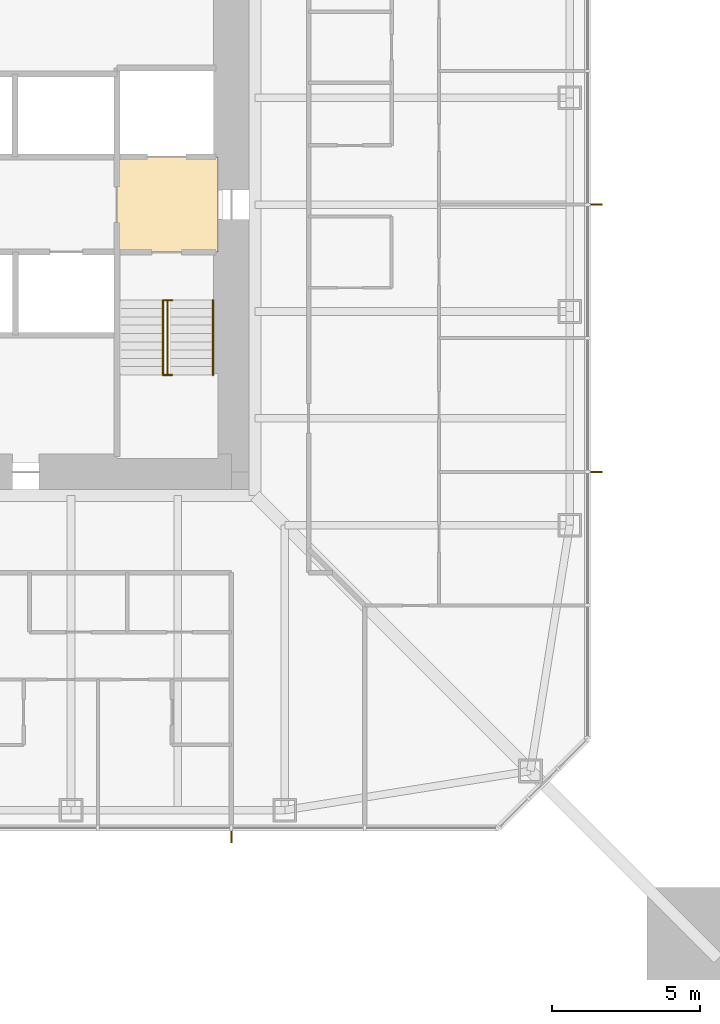
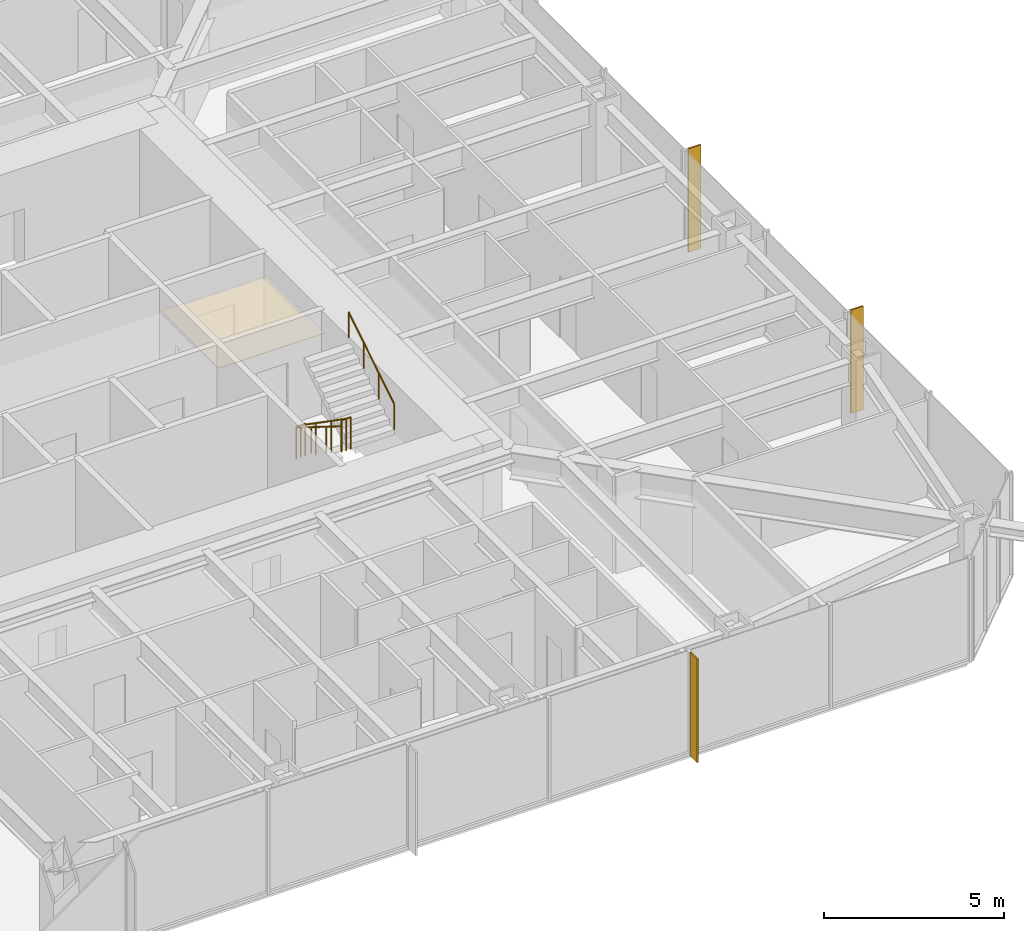
# One storey, part 23 of 25: 3 railings, 3 shading devices, 1 covering.
"""IFC4 building model written with IfcOpenShell, lengths in metres."""

from ifc_helpers import new_model, si_unit, direction, frame, origin, origin_2d, place, context, subcontext, project, spatial, polyline, rectangle, circle, outline, extrude, material, layer, layer_set, constituent, constituent_set, type_object, element, save


model = new_model("IFC4")

# Units and contexts
model_context = context("Model", 3, precision=1e-05, world=origin(), true_north=direction((0.0, 1.0)))
body_context = subcontext(model_context, "Body", "Model", "MODEL_VIEW")
ifc_project = project(units=[si_unit("LENGTHUNIT", "METRE"), si_unit("AREAUNIT", "SQUARE_METRE"), si_unit("VOLUMEUNIT", "CUBIC_METRE"), si_unit("PLANEANGLEUNIT", "RADIAN"), si_unit("MASSUNIT", "GRAM", prefix="KILO")], contexts=[model_context])

# Site, building, storey
site_placement = place(None, origin())
site = spatial("IfcSite", under=ifc_project, at=site_placement, CompositionType="ELEMENT")
building_placement = place(site_placement, origin())
building = spatial("IfcBuilding", under=site, at=building_placement, Name="Iwan Alto Co-Living Towers", CompositionType="ELEMENT")
storey_placement = place(building_placement, frame((0.0, 0.0, 84.0)))
storey = spatial("IfcBuildingStorey", under=building, at=storey_placement, Name="L22", CompositionType="ELEMENT", Elevation=84.0)

# Covering
ifc_material_1 = material(Name="Mineral fibre acoustic tiles on steel grid", Category="steel")
ifc_layer_1 = layer(ifc_material_1, 0.02001953125)
ifc_layer_set_1 = layer_set([ifc_layer_1], Name="ACOUSTIC TILE CEILING 20")
covering_type = type_object("IfcCoveringType", Name="ACOUSTIC TILE CEILING 20", PredefinedType="CEILING", material=ifc_layer_set_1)
covering_placement = place(storey_placement, frame((0.0, 0.0, 2.60009765625)))
element("IfcCovering", 1, at=covering_placement, inside=storey, type_object=covering_type, Name="Ceiling Firefighting lobby L22", PredefinedType="CEILING", context=body_context, shape_type="SweptSolid", body=[
    extrude(outline(polyline([(5.14990234375, -1.60009765625), (5.14990234375, 1.60009765625), (8.550048828125, 1.60009765625), (8.550048828125, -1.60009765625), (5.14990234375, -1.60009765625)])), origin(), (0.0, 0.0, 1.0), 0.02001953125),
])

# Shading devices
ifc_material_2 = material(Name="Aluminium 6063-T6 bronze anodised", Category="aluminium")
ifc_layer_2 = layer(ifc_material_2, 0.050048828125)
ifc_layer_set_2 = layer_set([ifc_layer_2], Name="BRONZE FIN 50X400")
shading_device_type = type_object("IfcShadingDeviceType", Name="BRONZE FIN 50X400", PredefinedType="USERDEFINED", material=ifc_layer_set_2)
for number, where, z_axis, x_axis, name in (
    (2, (9.0, -21.300048828125, 0.0), (0.0, 0.0, 1.0), (1.0, 0.0, 0.0), "Bronze fin L22"),
    (3, (21.300048828125, -9.0, 0.0), (0.0, 0.0, 1.0), (0.0, 1.0, 0.0), "Bronze fin L22"),
    (4, (21.300048828125, 0.0, 0.0), (0.0, 0.0, 1.0), (0.0, 1.0, 0.0), "Bronze fin L22"),
):
    element("IfcShadingDevice", number, at=place(storey_placement, frame(where, z_axis=z_axis, x_axis=x_axis)), inside=storey, type_object=shading_device_type, Name=name, ObjectType="LOUVER", PredefinedType="USERDEFINED", context=body_context, shape_type="SweptSolid", body=[
        extrude(rectangle(XDim=0.050048828125, YDim=0.39990234375, at=origin_2d()), origin(), (0.0, 0.0, 1.0), 3.5),
    ])

# Railings
ifc_material_3 = material(Name="Steel ASTM A500 Gr C", Category="steel")
ifc_constituent_1 = constituent(ifc_material_3, Name="Rails and posts", Category="Framing")
ifc_material_4 = material(Name="Steel ASTM A36", Category="steel")
ifc_constituent_2 = constituent(ifc_material_4, Name="Bar infill", Category="Infill")
ifc_constituent_set = constituent_set(constituents=[ifc_constituent_1, ifc_constituent_2], Name="STAIR GUARD 1100")
railing_type_1 = type_object("IfcRailingType", Name="STAIR GUARD 1100", PredefinedType="GUARDRAIL", material=ifc_constituent_set)
railing_1_placement = place(storey_placement, frame((6.85009765625, -3.219970703125, 0.0)))
element("IfcRailing", 5, at=railing_1_placement, inside=storey, type_object=railing_type_1, Name="Stair T1-S2 well guard L22", PredefinedType="GUARDRAIL", context=body_context, shape_type="SweptSolid", body=[
    extrude(circle(Radius=0.02392578125, at=origin_2d()), frame((0.0, 0.0, 1.076171875), z_axis=(0.0, -0.821372036852, 0.570392826987), x_axis=(1.0, 0.0, 0.0)), (0.0, 0.0, 1.0), 3.068115234375),
    extrude(circle(Radius=0.02392578125, at=origin_2d()), frame((-0.150146484375, 0.0, 1.076171875), z_axis=(1.0, 0.0, 0.0), x_axis=(0.0, 1.0, 0.0)), (0.0, 0.0, 1.0), 0.300048828125),
    extrude(circle(Radius=0.02392578125, at=origin_2d()), frame((-0.150146484375, -2.52001953125, 2.826171875), z_axis=(1.0, 0.0, 0.0), x_axis=(0.0, 1.0, 0.0)), (0.0, 0.0, 1.0), 0.300048828125),
    extrude(circle(Radius=0.02099609375, at=origin_2d()), origin(), (0.0, 0.0, 1.0), 1.052001953125),
    extrude(circle(Radius=0.02099609375, at=origin_2d()), frame((0.0, -0.840087890625, 0.583251953125)), (0.0, 0.0, 1.0), 1.052001953125),
    extrude(circle(Radius=0.02099609375, at=origin_2d()), frame((0.0, -1.679931640625, 1.166748046875)), (0.0, 0.0, 1.0), 1.052001953125),
    extrude(circle(Radius=0.02099609375, at=origin_2d()), frame((0.0, -2.52001953125, 1.75)), (0.0, 0.0, 1.0), 1.052001953125),
    extrude(circle(Radius=0.02099609375, at=origin_2d()), frame((-0.150146484375, 0.0, 0.0)), (0.0, 0.0, 1.0), 1.052001953125),
    extrude(circle(Radius=0.02099609375, at=origin_2d()), frame((0.14990234375, 0.0, 0.0)), (0.0, 0.0, 1.0), 1.052001953125),
    extrude(circle(Radius=0.02099609375, at=origin_2d()), frame((-0.150146484375, -2.52001953125, 1.75)), (0.0, 0.0, 1.0), 1.052001953125),
    extrude(circle(Radius=0.02099609375, at=origin_2d()), frame((0.14990234375, -2.52001953125, 1.75)), (0.0, 0.0, 1.0), 1.052001953125),
])
ifc_material_5 = material(Name="Steel ASTM A500 Gr C", Category="steel")
railing_type_2 = type_object("IfcRailingType", Name="STAIR HANDRAIL 900", PredefinedType="HANDRAIL", material=ifc_material_5)
railing_2_placement = place(storey_placement, frame((6.699951171875, -3.219970703125, 0.175048828125)))
element("IfcRailing", 6, at=railing_2_placement, inside=storey, type_object=railing_type_2, Name="Stair T1-S2 handrail 1 L22", PredefinedType="HANDRAIL", context=body_context, shape_type="SweptSolid", body=[
    extrude(circle(Radius=0.02392578125, at=origin_2d()), frame((0.0, 0.0, 0.8759765625), z_axis=(0.0, -0.848007534815, 0.529984170421), x_axis=(1.0, 0.0, 0.0)), (0.0, 0.0, 1.0), 2.9716796875),
    extrude(circle(Radius=0.02099609375, at=origin_2d()), origin(), (0.0, 0.0, 1.0), 0.851806640625),
    extrude(circle(Radius=0.02099609375, at=origin_2d()), frame((0.0, -0.840087890625, 0.52490234375)), (0.0, 0.0, 1.0), 0.851806640625),
    extrude(circle(Radius=0.02099609375, at=origin_2d()), frame((0.0, -1.679931640625, 1.050048828125)), (0.0, 0.0, 1.0), 0.851806640625),
    extrude(circle(Radius=0.02099609375, at=origin_2d()), frame((0.0, -2.52001953125, 1.574951171875)), (0.0, 0.0, 1.0), 0.851806640625),
])
railing_3_placement = place(storey_placement, frame((8.3798828125, -5.739990234375, 1.925048828125)))
element("IfcRailing", 7, at=railing_3_placement, inside=storey, type_object=railing_type_2, Name="Stair T1-S2 handrail 2 L22", PredefinedType="HANDRAIL", context=body_context, shape_type="SweptSolid", body=[
    extrude(circle(Radius=0.02392578125, at=origin_2d()), frame((0.0, 0.0, 0.8759765625), z_axis=(0.0, 0.848007534815, 0.529984170421), x_axis=(-1.0, 0.0, 0.0)), (0.0, 0.0, 1.0), 2.9716796875),
    extrude(circle(Radius=0.02099609375, at=origin_2d()), origin(), (0.0, 0.0, 1.0), 0.851806640625),
    extrude(circle(Radius=0.02099609375, at=origin_2d()), frame((0.0, 0.840087890625, 0.52490234375)), (0.0, 0.0, 1.0), 0.851806640625),
    extrude(circle(Radius=0.02099609375, at=origin_2d()), frame((0.0, 1.679931640625, 1.050048828125)), (0.0, 0.0, 1.0), 0.851806640625),
    extrude(circle(Radius=0.02099609375, at=origin_2d()), frame((0.0, 2.52001953125, 1.574951171875)), (0.0, 0.0, 1.0), 0.851806640625),
])

save(model, "model.ifc")
